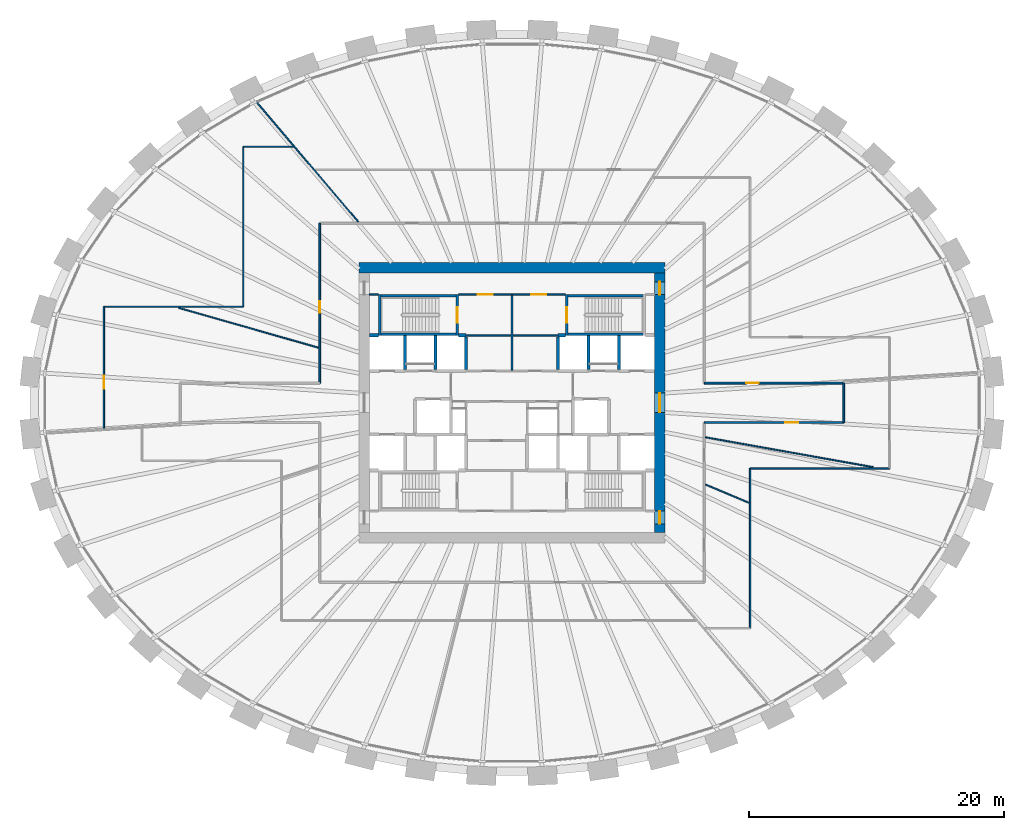
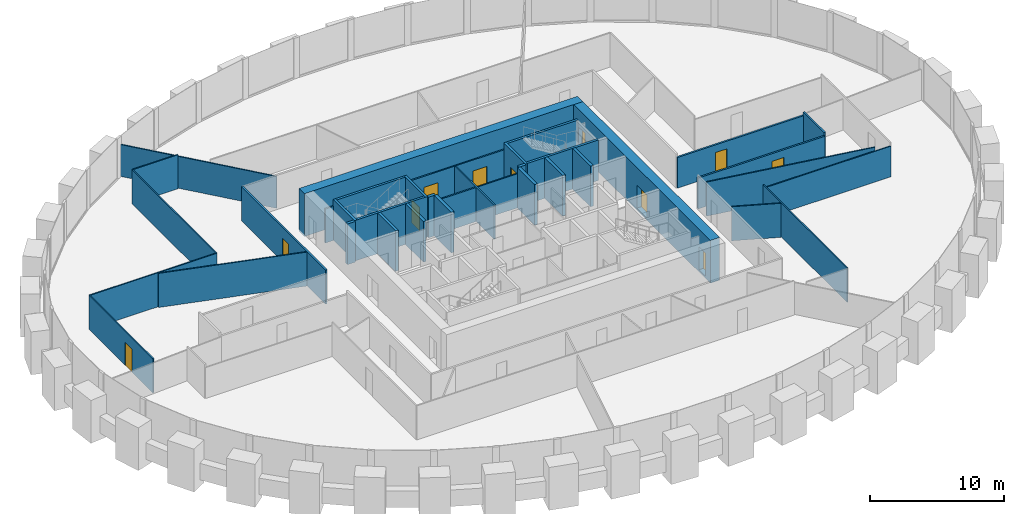
# One storey, part 8 of 10: 36 walls, 11 doors, 11 openings.
"""IFC4 building model written with IfcOpenShell, lengths in metres."""

from ifc_helpers import new_model, si_unit, direction, frame, frame_2d, origin, place, context, subcontext, project, spatial, rectangle, extrude, source, transform, mapped, material, layer, layer_set, type_object, element, fill, save


model = new_model("IFC4")

# Units and contexts
model_context = context("Model", 3, precision=1e-05, world=origin(), true_north=direction((0.0, 1.0)))
body_context = subcontext(model_context, "Body", "Model", "MODEL_VIEW")
ifc_project = project(units=[si_unit("LENGTHUNIT", "METRE"), si_unit("AREAUNIT", "SQUARE_METRE"), si_unit("VOLUMEUNIT", "CUBIC_METRE"), si_unit("PLANEANGLEUNIT", "RADIAN"), si_unit("MASSUNIT", "GRAM", prefix="KILO")], contexts=[model_context])

# Site, building, storey
site_placement = place(None, origin())
site = spatial("IfcSite", under=ifc_project, at=site_placement, CompositionType="ELEMENT")
building_placement = place(site_placement, origin())
building = spatial("IfcBuilding", under=site, at=building_placement, Name="Embergate Tower", CompositionType="ELEMENT")
storey_placement = place(building_placement, frame((0.0, 0.0, 156.0)))
storey = spatial("IfcBuildingStorey", under=building, at=storey_placement, Name="L34", CompositionType="ELEMENT", Elevation=156.0)

# Wall
ifc_material_1 = material(Name="Concrete C70", Category="concrete")
ifc_layer_1 = layer(ifc_material_1, 0.800048828125)
ifc_layer_set_1 = layer_set([ifc_layer_1], Name="Concrete C70")
wall_type_1 = type_object("IfcWallType", Name="Core outer wall C70 800", PredefinedType="SHEAR", material=ifc_layer_set_1)
shared_shape_1 = source(origin(), body_context, "Body", "SweptSolid", [
    extrude(rectangle(XDim=24.0, YDim=0.800048828125, at=frame_2d((12.0, 0.0))), origin(), (0.0, 0.0, 1.0), 3.89990234375),
])
wall_1_placement = place(storey_placement, frame((-12.0, 10.60009765625, -0.199951171875), z_axis=(0.0, 0.0, 1.0), x_axis=(1.0, 0.0, 0.0)))
element("IfcWall", 1, at=wall_1_placement, inside=storey, type_object=wall_type_1, Name="CW-L34-N", PredefinedType="SHEAR", context=body_context, shape_type="MappedRepresentation", body=[
    mapped(shared_shape_1, transform((0.0, 0.0, 0.0))),
])

# Wall, openings, doors
shared_shape_2 = source(origin(), body_context, "Body", "SweptSolid", [
    extrude(rectangle(XDim=20.39990234375, YDim=0.800048828125, at=frame_2d((10.199951171875, 0.0))), origin(), (0.0, 0.0, 1.0), 3.89990234375),
])
wall_2_placement = place(storey_placement, frame((11.60009765625, -10.199951171875, -0.199951171875), z_axis=(0.0, 0.0, 1.0), x_axis=(0.0, 1.0, 0.0)))
wall_2 = element("IfcWall", 2, at=wall_2_placement, inside=storey, type_object=wall_type_1, Name="CW-L34-E", PredefinedType="SHEAR", context=body_context, shape_type="MappedRepresentation", body=[
    mapped(shared_shape_2, transform((0.0, 0.0, 0.0))),
])
shared_shape_3 = source(origin(), body_context, "Body", "SweptSolid", [
    extrude(rectangle(XDim=1.0, YDim=2.10009765625, at=frame_2d((0.5, 1.050048828125))), frame((0.0, 0.409912109375, 0.0), z_axis=(0.0, -1.0, 0.0), x_axis=(1.0, 0.0, 0.0)), (0.0, 0.0, 1.0), 0.820068359375),
])
opening_1_placement = place(wall_2_placement, frame((18.699951171875, 0.0, 0.199951171875)))
opening_1 = element("IfcOpeningElement", 3, at=opening_1_placement, cuts=wall_2, Name="Opening IF-1d", PredefinedType="OPENING", context=body_context, shape_type="MappedRepresentation", body=[
    mapped(shared_shape_3, transform((0.0, 0.0, 0.0))),
])
opening_2_placement = place(wall_2_placement, frame((0.699951171875, 0.0, 0.199951171875)))
opening_2 = element("IfcOpeningElement", 4, at=opening_2_placement, cuts=wall_2, Name="Opening IF-1d", PredefinedType="OPENING", context=body_context, shape_type="MappedRepresentation", body=[
    mapped(shared_shape_3, transform((0.0, 0.0, 0.0))),
])
shared_shape_4 = source(origin(), body_context, "Body", "SweptSolid", [
    extrude(rectangle(XDim=1.5, YDim=2.10009765625, at=frame_2d((0.75, 1.050048828125))), frame((0.0, 0.409912109375, 0.0), z_axis=(0.0, -1.0, 0.0), x_axis=(1.0, 0.0, 0.0)), (0.0, 0.0, 1.0), 0.820068359375),
])
opening_3_placement = place(wall_2_placement, frame((9.449951171875, 0.0, 0.199951171875)))
opening_3 = element("IfcOpeningElement", 5, at=opening_3_placement, cuts=wall_2, Name="Opening IF-3", PredefinedType="OPENING", context=body_context, shape_type="MappedRepresentation", body=[
    mapped(shared_shape_4, transform((0.0, 0.0, 0.0))),
])
ifc_material_2 = material(Name="Lobby fire door pair 1500")
door_type_1 = type_object("IfcDoorType", Name="Lobby fire door pair 1500", OperationType="DOUBLE_DOOR_SINGLE_SWING", PredefinedType="DOOR", material=ifc_material_2)
shared_shape_5 = source(origin(), body_context, "Body", "SweptSolid", [
    extrude(rectangle(XDim=1.5, YDim=2.10009765625, at=frame_2d((0.75, 1.050048828125))), frame((0.0, 0.02490234375, 0.0), z_axis=(0.0, -1.0, 0.0), x_axis=(1.0, 0.0, 0.0)), (0.0, 0.0, 1.0), 0.050048828125),
])
door_1_placement = place(opening_3_placement, origin())
door_1 = element("IfcDoor", 6, at=door_1_placement, inside=storey, type_object=door_type_1, Name="IF-3 door", OperationType="DOUBLE_DOOR_SINGLE_SWING", OverallHeight=2.10009765625, OverallWidth=1.5, PredefinedType="DOOR", context=body_context, shape_type="MappedRepresentation", body=[
    mapped(shared_shape_5, transform((0.0, 0.0, 0.0))),
])
fill(opening_3, door_1)
ifc_material_3 = material(Name="Escape fire door 1000")
door_type_2 = type_object("IfcDoorType", Name="Escape fire door 1000", OperationType="SINGLE_SWING_LEFT", PredefinedType="DOOR", material=ifc_material_3)
shared_shape_6 = source(origin(), body_context, "Body", "SweptSolid", [
    extrude(rectangle(XDim=1.0, YDim=2.10009765625, at=frame_2d((0.5, 1.050048828125))), frame((0.0, 0.02490234375, 0.0), z_axis=(0.0, -1.0, 0.0), x_axis=(1.0, 0.0, 0.0)), (0.0, 0.0, 1.0), 0.050048828125),
])
door_2_placement = place(opening_1_placement, origin())
door_2 = element("IfcDoor", 7, at=door_2_placement, inside=storey, type_object=door_type_2, Name="IF-1 door", OperationType="SINGLE_SWING_LEFT", OverallHeight=2.10009765625, OverallWidth=1.0, PredefinedType="DOOR", context=body_context, shape_type="MappedRepresentation", body=[
    mapped(shared_shape_6, transform((0.0, 0.0, 0.0))),
])
fill(opening_1, door_2)
door_3_placement = place(opening_2_placement, origin())
door_3 = element("IfcDoor", 8, at=door_3_placement, inside=storey, type_object=door_type_2, Name="IF-1 door", OperationType="SINGLE_SWING_LEFT", OverallHeight=2.10009765625, OverallWidth=1.0, PredefinedType="DOOR", context=body_context, shape_type="MappedRepresentation", body=[
    mapped(shared_shape_6, transform((0.0, 0.0, 0.0))),
])
fill(opening_2, door_3)

# Walls
ifc_material_4 = material(Name="Concrete C50", Category="concrete")
ifc_layer_2 = layer(ifc_material_4, 0.25)
ifc_layer_set_2 = layer_set([ifc_layer_2], Name="Concrete C50")
wall_type_2 = type_object("IfcWallType", Name="Hoistway wall reinforced concrete 250", PredefinedType="SHEAR", material=ifc_layer_set_2)
shared_shape_7 = source(origin(), body_context, "Body", "SweptSolid", [
    extrude(rectangle(XDim=2.675048828125, YDim=0.25, at=frame_2d((1.33740234375, 0.0))), origin(), (0.0, 0.0, 1.0), 3.699951171875),
])
for number, where, z_axis, x_axis, name in (
    (9, (-8.39990234375, 2.625, 0.0), (0.0, 0.0, 1.0), (0.0, 1.0, 0.0), "HW-1 wall"),
    (10, (-6.0, 2.625, 0.0), (0.0, 0.0, 1.0), (0.0, 1.0, 0.0), "HW-1 wall"),
    (11, (6.0, 2.625, 0.0), (0.0, 0.0, 1.0), (0.0, 1.0, 0.0), "HW-1 wall"),
    (12, (8.39990234375, 2.625, 0.0), (0.0, 0.0, 1.0), (0.0, 1.0, 0.0), "HW-1 wall"),
):
    element("IfcWall", number, at=place(storey_placement, frame(where, z_axis=z_axis, x_axis=x_axis)), inside=storey, type_object=wall_type_2, Name=name, PredefinedType="SHEAR", context=body_context, shape_type="MappedRepresentation", body=[
        mapped(shared_shape_7, transform((0.0, 0.0, 0.0))),
    ])
ifc_layer_3 = layer(ifc_material_4, 0.199951171875)
ifc_layer_set_3 = layer_set([ifc_layer_3], Name="Concrete C50")
wall_type_3 = type_object("IfcWallType", Name="Stair enclosure wall reinforced concrete 250", PredefinedType="SHEAR", material=ifc_layer_set_3)
shared_shape_8 = source(origin(), body_context, "Body", "SweptSolid", [
    extrude(rectangle(XDim=6.300048828125, YDim=0.199951171875, at=frame_2d((3.14990234375, 0.0))), origin(), (0.0, 0.0, 1.0), 3.699951171875),
])
for number, where, z_axis, x_axis, name in (
    (13, (-4.199951171875, 5.39990234375, 0.0), (0.0, 0.0, 1.0), (-1.0, 0.0, 0.0), "SE-1 wall"),
    (14, (10.5, 5.39990234375, 0.0), (0.0, 0.0, 1.0), (-1.0, 0.0, 0.0), "SE-1 wall"),
    (15, (-4.199951171875, 8.39990234375, 0.0), (0.0, 0.0, 1.0), (-1.0, 0.0, 0.0), "SE-1 wall"),
    (16, (10.5, 8.39990234375, 0.0), (0.0, 0.0, 1.0), (-1.0, 0.0, 0.0), "SE-1 wall"),
):
    element("IfcWall", number, at=place(storey_placement, frame(where, z_axis=z_axis, x_axis=x_axis)), inside=storey, type_object=wall_type_3, Name=name, PredefinedType="SHEAR", context=body_context, shape_type="MappedRepresentation", body=[
        mapped(shared_shape_8, transform((0.0, 0.0, 0.0))),
    ])
shared_shape_9 = source(origin(), body_context, "Body", "SweptSolid", [
    extrude(rectangle(XDim=2.550048828125, YDim=0.25, at=frame_2d((1.27490234375, 0.0))), origin(), (0.0, 0.0, 1.0), 3.699951171875),
])
for number, where, z_axis, x_axis, name in (
    (17, (-3.60009765625, 2.625, 0.0), (0.0, 0.0, 1.0), (0.0, 1.0, 0.0), "HW-1 wall"),
    (18, (3.60009765625, 5.175048828125, 0.0), (0.0, 0.0, 1.0), (0.0, -1.0, 0.0), "HW-1 wall"),
):
    element("IfcWall", number, at=place(storey_placement, frame(where, z_axis=z_axis, x_axis=x_axis)), inside=storey, type_object=wall_type_2, Name=name, PredefinedType="SHEAR", context=body_context, shape_type="MappedRepresentation", body=[
        mapped(shared_shape_9, transform((0.0, 0.0, 0.0))),
    ])

# Wall, opening, door
shared_shape_10 = source(origin(), body_context, "Body", "SweptSolid", [
    extrude(rectangle(XDim=3.199951171875, YDim=0.199951171875, at=frame_2d((1.60009765625, 0.0))), origin(), (0.0, 0.0, 1.0), 3.699951171875),
])
wall_3_placement = place(storey_placement, frame((-4.300048828125, 5.300048828125, 0.0), z_axis=(0.0, 0.0, 1.0), x_axis=(0.0, 1.0, 0.0)))
wall_3 = element("IfcWall", 19, at=wall_3_placement, inside=storey, type_object=wall_type_3, Name="SE-1 wall", PredefinedType="SHEAR", context=body_context, shape_type="MappedRepresentation", body=[
    mapped(shared_shape_10, transform((0.0, 0.0, 0.0))),
])
shared_shape_11 = source(origin(), body_context, "Body", "SweptSolid", [
    extrude(rectangle(XDim=1.199951171875, YDim=2.10009765625, at=frame_2d((0.60009765625, 1.050048828125))), frame((0.0, 0.10986328125, 0.0), z_axis=(0.0, -1.0, 0.0), x_axis=(1.0, 0.0, 0.0)), (0.0, 0.0, 1.0), 0.219970703125),
])
opening_4_placement = place(wall_3_placement, frame((1.0, 0.0, 0.0)))
opening_4 = element("IfcOpeningElement", 20, at=opening_4_placement, cuts=wall_3, Name="Opening IF-2", PredefinedType="OPENING", context=body_context, shape_type="MappedRepresentation", body=[
    mapped(shared_shape_11, transform((0.0, 0.0, 0.0))),
])
ifc_material_5 = material(Name="Stair enclosure door 1200")
door_type_3 = type_object("IfcDoorType", Name="Stair enclosure door 1200", OperationType="SINGLE_SWING_LEFT", PredefinedType="DOOR", material=ifc_material_5)
shared_shape_12 = source(origin(), body_context, "Body", "SweptSolid", [
    extrude(rectangle(XDim=1.199951171875, YDim=2.10009765625, at=frame_2d((0.60009765625, 1.050048828125))), frame((0.0, 0.02490234375, 0.0), z_axis=(0.0, -1.0, 0.0), x_axis=(1.0, 0.0, 0.0)), (0.0, 0.0, 1.0), 0.050048828125),
])
door_4_placement = place(opening_4_placement, origin())
door_4 = element("IfcDoor", 21, at=door_4_placement, inside=storey, type_object=door_type_3, Name="IF-2 door", OperationType="SINGLE_SWING_RIGHT", OverallHeight=2.10009765625, OverallWidth=1.199951171875, PredefinedType="DOOR", context=body_context, shape_type="MappedRepresentation", body=[
    mapped(shared_shape_12, transform((0.0, 0.0, 0.0))),
])
fill(opening_4, door_4)

wall_4_placement = place(storey_placement, frame((4.300048828125, 8.5, 0.0), z_axis=(0.0, 0.0, 1.0), x_axis=(0.0, -1.0, 0.0)))
wall_4 = element("IfcWall", 22, at=wall_4_placement, inside=storey, type_object=wall_type_3, Name="SE-1 wall", PredefinedType="SHEAR", context=body_context, shape_type="MappedRepresentation", body=[
    mapped(shared_shape_10, transform((0.0, 0.0, 0.0))),
])
opening_5_placement = place(wall_4_placement, frame((1.0, 0.0, 0.0)))
opening_5 = element("IfcOpeningElement", 23, at=opening_5_placement, cuts=wall_4, Name="Opening IF-2", PredefinedType="OPENING", context=body_context, shape_type="MappedRepresentation", body=[
    mapped(shared_shape_11, transform((0.0, 0.0, 0.0))),
])
door_5_placement = place(opening_5_placement, origin())
door_5 = element("IfcDoor", 24, at=door_5_placement, inside=storey, type_object=door_type_3, Name="IF-2 door", OperationType="SINGLE_SWING_LEFT", OverallHeight=2.10009765625, OverallWidth=1.199951171875, PredefinedType="DOOR", context=body_context, shape_type="MappedRepresentation", body=[
    mapped(shared_shape_12, transform((0.0, 0.0, 0.0))),
])
fill(opening_5, door_5)

# Wall, openings, doors
ifc_material_6 = material(Name="Core partition blockwork 120")
ifc_layer_4 = layer(ifc_material_6, 0.1201171875)
ifc_layer_set_4 = layer_set([ifc_layer_4], Name="Core partition blockwork 120")
wall_type_4 = type_object("IfcWallType", Name="Core partition blockwork 120", PredefinedType="PARTITIONING", material=ifc_layer_set_4)
shared_shape_13 = source(origin(), body_context, "Body", "SweptSolid", [
    extrude(rectangle(XDim=8.39990234375, YDim=0.1201171875, at=frame_2d((4.199951171875, 0.0))), origin(), (0.0, 0.0, 1.0), 3.10009765625),
])
wall_5_placement = place(storey_placement, frame((4.199951171875, 8.5, 0.0), z_axis=(0.0, 0.0, 1.0), x_axis=(-1.0, 0.0, 0.0)))
wall_5 = element("IfcWall", 25, at=wall_5_placement, inside=storey, type_object=wall_type_4, Name="IP-3 wall", PredefinedType="PARTITIONING", context=body_context, shape_type="MappedRepresentation", body=[
    mapped(shared_shape_13, transform((0.0, 0.0, 0.0))),
])
shared_shape_14 = source(origin(), body_context, "Body", "SweptSolid", [
    extrude(rectangle(XDim=1.199951171875, YDim=2.10009765625, at=frame_2d((0.60009765625, 1.050048828125))), frame((0.0, 0.070068359375, 0.0), z_axis=(0.0, -1.0, 0.0), x_axis=(1.0, 0.0, 0.0)), (0.0, 0.0, 1.0), 0.14013671875),
])
opening_6_placement = place(wall_5_placement, frame((5.699951171875, 0.0, 0.0)))
opening_6 = element("IfcOpeningElement", 26, at=opening_6_placement, cuts=wall_5, Name="Opening IF-3f", PredefinedType="OPENING", context=body_context, shape_type="MappedRepresentation", body=[
    mapped(shared_shape_14, transform((0.0, 0.0, 0.0))),
])
opening_7_placement = place(wall_5_placement, frame((1.5, 0.0, 0.0)))
opening_7 = element("IfcOpeningElement", 27, at=opening_7_placement, cuts=wall_5, Name="Opening IF-3f", PredefinedType="OPENING", context=body_context, shape_type="MappedRepresentation", body=[
    mapped(shared_shape_14, transform((0.0, 0.0, 0.0))),
])
ifc_material_7 = material(Name="Lobby fire door pair 1200")
door_type_4 = type_object("IfcDoorType", Name="Lobby fire door pair 1200", OperationType="DOUBLE_DOOR_SINGLE_SWING", PredefinedType="DOOR", material=ifc_material_7)
door_6_placement = place(opening_6_placement, origin())
door_6 = element("IfcDoor", 28, at=door_6_placement, inside=storey, type_object=door_type_4, Name="IF-3 door", OperationType="DOUBLE_DOOR_SINGLE_SWING", OverallHeight=2.10009765625, OverallWidth=1.199951171875, PredefinedType="DOOR", context=body_context, shape_type="MappedRepresentation", body=[
    mapped(shared_shape_12, transform((0.0, 0.0, 0.0))),
])
fill(opening_6, door_6)
door_7_placement = place(opening_7_placement, origin())
door_7 = element("IfcDoor", 29, at=door_7_placement, inside=storey, type_object=door_type_4, Name="IF-3 door", OperationType="DOUBLE_DOOR_SINGLE_SWING", OverallHeight=2.10009765625, OverallWidth=1.199951171875, PredefinedType="DOOR", context=body_context, shape_type="MappedRepresentation", body=[
    mapped(shared_shape_12, transform((0.0, 0.0, 0.0))),
])
fill(opening_7, door_7)

# Wall, opening, door
ifc_material_8 = material(Name="Corridor wall dry-lined 150")
ifc_layer_5 = layer(ifc_material_8, 0.14990234375)
ifc_layer_set_5 = layer_set([ifc_layer_5], Name="Corridor wall dry-lined 150")
wall_type_5 = type_object("IfcWallType", Name="Corridor wall dry-lined 150", PredefinedType="PARTITIONING", material=ifc_layer_set_5)
shared_shape_15 = source(origin(), body_context, "Body", "SweptSolid", [
    extrude(rectangle(XDim=10.949951171875, YDim=0.14990234375, at=frame_2d((5.47509765625, 0.0))), origin(), (0.0, 0.0, 1.0), 2.800048828125),
])
wall_6_placement = place(storey_placement, frame((15.10009765625, -1.550048828125, 0.0), z_axis=(0.0, 0.0, 1.0), x_axis=(1.0, 0.0, 0.0)))
wall_6 = element("IfcWall", 30, at=wall_6_placement, inside=storey, type_object=wall_type_5, Name="IP-2 wall", PredefinedType="PARTITIONING", context=body_context, shape_type="MappedRepresentation", body=[
    mapped(shared_shape_15, transform((0.0, 0.0, 0.0))),
])
shared_shape_16 = source(origin(), body_context, "Body", "SweptSolid", [
    extrude(rectangle(XDim=1.0, YDim=2.10009765625, at=frame_2d((0.5, 1.050048828125))), frame((0.0, 0.0849609375, 0.0), z_axis=(0.0, -1.0, 0.0), x_axis=(1.0, 0.0, 0.0)), (0.0, 0.0, 1.0), 0.169921875),
])
opening_8_placement = place(wall_6_placement, frame((6.376953125, 0.0, 0.0)))
opening_8 = element("IfcOpeningElement", 31, at=opening_8_placement, cuts=wall_6, Name="Opening ID-2", PredefinedType="OPENING", context=body_context, shape_type="MappedRepresentation", body=[
    mapped(shared_shape_16, transform((0.0, 0.0, 0.0))),
])
ifc_material_9 = material(Name="Interior door 1000")
door_type_5 = type_object("IfcDoorType", Name="Interior door 1000", OperationType="SINGLE_SWING_LEFT", PredefinedType="DOOR", material=ifc_material_9)
door_8_placement = place(opening_8_placement, origin())
door_8 = element("IfcDoor", 32, at=door_8_placement, inside=storey, type_object=door_type_5, Name="ID-2 door", OperationType="SINGLE_SWING_RIGHT", OverallHeight=2.10009765625, OverallWidth=1.0, PredefinedType="DOOR", context=body_context, shape_type="MappedRepresentation", body=[
    mapped(shared_shape_6, transform((0.0, 0.0, 0.0))),
])
fill(opening_8, door_8)

wall_7_placement = place(storey_placement, frame((26.050048828125, 1.550048828125, 0.0), z_axis=(0.0, 0.0, 1.0), x_axis=(-1.0, 0.0, 0.0)))
wall_7 = element("IfcWall", 33, at=wall_7_placement, inside=storey, type_object=wall_type_5, Name="IP-2 wall", PredefinedType="PARTITIONING", context=body_context, shape_type="MappedRepresentation", body=[
    mapped(shared_shape_15, transform((0.0, 0.0, 0.0))),
])
opening_9_placement = place(wall_7_placement, frame((6.6708984375, 0.0, 0.0)))
opening_9 = element("IfcOpeningElement", 34, at=opening_9_placement, cuts=wall_7, Name="Opening ID-2", PredefinedType="OPENING", context=body_context, shape_type="MappedRepresentation", body=[
    mapped(shared_shape_16, transform((0.0, 0.0, 0.0))),
])
door_9_placement = place(opening_9_placement, origin())
door_9 = element("IfcDoor", 35, at=door_9_placement, inside=storey, type_object=door_type_5, Name="ID-2 door", OperationType="SINGLE_SWING_LEFT", OverallHeight=2.10009765625, OverallWidth=1.0, PredefinedType="DOOR", context=body_context, shape_type="MappedRepresentation", body=[
    mapped(shared_shape_6, transform((0.0, 0.0, 0.0))),
])
fill(opening_9, door_9)

# Walls
ifc_material_10 = material(Name="Partition dry-lined 100")
ifc_layer_6 = layer(ifc_material_10, 0.10009765625)
ifc_layer_set_6 = layer_set([ifc_layer_6], Name="Partition dry-lined 100")
wall_type_6 = type_object("IfcWallType", Name="Partition dry-lined 100", PredefinedType="PARTITIONING", material=ifc_layer_set_6)
shared_shape_17 = source(origin(), body_context, "Body", "SweptSolid", [
    extrude(rectangle(XDim=10.949951171875, YDim=0.10009765625, at=frame_2d((5.47509765625, 0.0))), origin(), (0.0, 0.0, 1.0), 3.10009765625),
])
wall_8_placement = place(storey_placement, frame((-32.050048828125, 7.550048828125, 0.0), z_axis=(0.0, 0.0, 1.0), x_axis=(1.0, 0.0, 0.0)))
element("IfcWall", 36, at=wall_8_placement, inside=storey, type_object=wall_type_6, Name="IP-1 wall", PredefinedType="PARTITIONING", context=body_context, shape_type="MappedRepresentation", body=[
    mapped(shared_shape_17, transform((0.0, 0.0, 0.0))),
])
shared_shape_18 = source(origin(), body_context, "Body", "SweptSolid", [
    extrude(rectangle(XDim=10.949951171875, YDim=0.10009765625, at=frame_2d((5.47509765625, 0.0))), origin(), (0.0, 0.0, 1.0), 2.800048828125),
])
wall_9_placement = place(storey_placement, frame((29.64990234375, -5.14990234375, 0.0), z_axis=(0.0, 0.0, 1.0), x_axis=(-1.0, 0.0, 0.0)))
element("IfcWall", 37, at=wall_9_placement, inside=storey, type_object=wall_type_6, Name="IP-1 wall", PredefinedType="PARTITIONING", context=body_context, shape_type="MappedRepresentation", body=[
    mapped(shared_shape_18, transform((0.0, 0.0, 0.0))),
])
shared_shape_19 = source(origin(), body_context, "Body", "SweptSolid", [
    extrude(rectangle(XDim=0.599853515625, YDim=0.25, at=frame_2d((0.2998046875, 0.0))), origin(), (0.0, 0.0, 1.0), 3.699951171875),
])
for number, where, z_axis, x_axis, name in (
    (38, (-3.60009765625, 5.300048828125, 0.0), (0.0, 0.0, 1.0), (-1.0, 0.0, 0.0), "HW-1 wall"),
    (39, (4.199951171875, 5.300048828125, 0.0), (0.0, 0.0, 1.0), (-1.0, 0.0, 0.0), "HW-1 wall"),
):
    element("IfcWall", number, at=place(storey_placement, frame(where, z_axis=z_axis, x_axis=x_axis)), inside=storey, type_object=wall_type_2, Name=name, PredefinedType="SHEAR", context=body_context, shape_type="MappedRepresentation", body=[
        mapped(shared_shape_19, transform((0.0, 0.0, 0.0))),
    ])
shared_shape_20 = source(origin(), body_context, "Body", "SweptSolid", [
    extrude(rectangle(XDim=7.2001953125, YDim=0.1201171875, at=frame_2d((3.60009765625, 0.0))), origin(), (0.0, 0.0, 1.0), 3.10009765625),
])
wall_10_placement = place(storey_placement, frame((-3.60009765625, 5.300048828125, 0.0), z_axis=(0.0, 0.0, 1.0), x_axis=(1.0, 0.0, 0.0)))
element("IfcWall", 40, at=wall_10_placement, inside=storey, type_object=wall_type_4, Name="IP-3 wall", PredefinedType="PARTITIONING", context=body_context, shape_type="MappedRepresentation", body=[
    mapped(shared_shape_20, transform((0.0, 0.0, 0.0))),
])
shared_shape_21 = source(origin(), body_context, "Body", "SweptSolid", [
    extrude(rectangle(XDim=3.196044921875, YDim=0.199951171875, at=frame_2d((1.59814453125, 0.0))), origin(), (0.0, 0.0, 1.0), 3.699951171875),
])
wall_11_placement = place(storey_placement, frame((-10.39990234375, 8.498046875, 0.0), z_axis=(0.0, 0.0, 1.0), x_axis=(0.0, -1.0, 0.0)))
element("IfcWall", 41, at=wall_11_placement, inside=storey, type_object=wall_type_3, Name="SE-1 wall", PredefinedType="SHEAR", context=body_context, shape_type="MappedRepresentation", body=[
    mapped(shared_shape_21, transform((0.0, 0.0, 0.0))),
])
shared_shape_22 = source(origin(), body_context, "Body", "SweptSolid", [
    extrude(rectangle(XDim=0.697998046875, YDim=0.25, at=frame_2d((0.34912109375, 0.0))), origin(), (0.0, 0.0, 1.0), 3.699951171875),
])
wall_12_placement = place(storey_placement, frame((-10.501953125, 5.300048828125, 0.0), z_axis=(0.0, 0.0, 1.0), x_axis=(-1.0, 0.0, 0.0)))
element("IfcWall", 42, at=wall_12_placement, inside=storey, type_object=wall_type_2, Name="HW-1 wall", PredefinedType="SHEAR", context=body_context, shape_type="MappedRepresentation", body=[
    mapped(shared_shape_22, transform((0.0, 0.0, 0.0))),
])
shared_shape_23 = source(origin(), body_context, "Body", "SweptSolid", [
    extrude(rectangle(XDim=0.697998046875, YDim=0.1201171875, at=frame_2d((0.34912109375, 0.0))), origin(), (0.0, 0.0, 1.0), 3.10009765625),
])
wall_13_placement = place(storey_placement, frame((-11.199951171875, 8.5, 0.0), z_axis=(0.0, 0.0, 1.0), x_axis=(1.0, 0.0, 0.0)))
element("IfcWall", 43, at=wall_13_placement, inside=storey, type_object=wall_type_4, Name="IP-3 wall", PredefinedType="PARTITIONING", context=body_context, shape_type="MappedRepresentation", body=[
    mapped(shared_shape_23, transform((0.0, 0.0, 0.0))),
])
shared_shape_24 = source(origin(), body_context, "Body", "SweptSolid", [
    extrude(rectangle(XDim=12.37109375, YDim=0.10009765625, at=frame_2d((6.185546875, 0.0))), origin(), (0.0, 0.0, 1.0), 2.89990234375),
])
wall_14_placement = place(storey_placement, frame((-20.077880859375, 23.635986328125, 0.0), z_axis=(0.0, 0.0, 1.0), x_axis=(0.647375129587, -0.762171530295, 0.0)))
element("IfcWall", 44, at=wall_14_placement, inside=storey, type_object=wall_type_6, Name="IP-1 wall", PredefinedType="PARTITIONING", context=body_context, shape_type="MappedRepresentation", body=[
    mapped(shared_shape_24, transform((0.0, 0.0, 0.0))),
])

# Wall, opening, door
shared_shape_25 = source(origin(), body_context, "Body", "SweptSolid", [
    extrude(rectangle(XDim=12.550048828125, YDim=0.14990234375, at=frame_2d((6.27490234375, 0.0))), origin(), (0.0, 0.0, 1.0), 3.10009765625),
])
wall_15_placement = place(storey_placement, frame((-15.10009765625, 1.550048828125, 0.0), z_axis=(0.0, 0.0, 1.0), x_axis=(0.0, 1.0, 0.0)))
wall_15 = element("IfcWall", 45, at=wall_15_placement, inside=storey, type_object=wall_type_5, Name="IP-2 wall", PredefinedType="PARTITIONING", context=body_context, shape_type="MappedRepresentation", body=[
    mapped(shared_shape_25, transform((0.0, 0.0, 0.0))),
])
shared_shape_26 = source(origin(), body_context, "Body", "SweptSolid", [
    extrude(rectangle(XDim=0.89990234375, YDim=2.10009765625, at=frame_2d((0.449951171875, 1.050048828125))), frame((0.0, 0.0849609375, 0.0), z_axis=(0.0, -1.0, 0.0), x_axis=(1.0, 0.0, 0.0)), (0.0, 0.0, 1.0), 0.169921875),
])
opening_10_placement = place(wall_15_placement, frame((5.5400390625, 0.0, 0.0)))
opening_10 = element("IfcOpeningElement", 46, at=opening_10_placement, cuts=wall_15, Name="Opening IF-1c", PredefinedType="OPENING", context=body_context, shape_type="MappedRepresentation", body=[
    mapped(shared_shape_26, transform((0.0, 0.0, 0.0))),
])
ifc_material_11 = material(Name="Escape fire door 900")
door_type_6 = type_object("IfcDoorType", Name="Escape fire door 900", OperationType="SINGLE_SWING_LEFT", PredefinedType="DOOR", material=ifc_material_11)
shared_shape_27 = source(origin(), body_context, "Body", "SweptSolid", [
    extrude(rectangle(XDim=0.89990234375, YDim=2.10009765625, at=frame_2d((0.449951171875, 1.050048828125))), frame((0.0, 0.02490234375, 0.0), z_axis=(0.0, -1.0, 0.0), x_axis=(1.0, 0.0, 0.0)), (0.0, 0.0, 1.0), 0.050048828125),
])
door_10_placement = place(opening_10_placement, origin())
door_10 = element("IfcDoor", 47, at=door_10_placement, inside=storey, type_object=door_type_6, Name="IF-1 door", OperationType="SINGLE_SWING_LEFT", OverallHeight=2.10009765625, OverallWidth=0.89990234375, PredefinedType="DOOR", context=body_context, shape_type="MappedRepresentation", body=[
    mapped(shared_shape_27, transform((0.0, 0.0, 0.0))),
])
fill(opening_10, door_10)

# Walls
shared_shape_28 = source(origin(), body_context, "Body", "SweptSolid", [
    extrude(rectangle(XDim=3.10009765625, YDim=0.14990234375, at=frame_2d((1.550048828125, 0.0))), origin(), (0.0, 0.0, 1.0), 3.10009765625),
])
wall_16_placement = place(storey_placement, frame((26.050048828125, -1.550048828125, 0.0), z_axis=(0.0, 0.0, 1.0), x_axis=(0.0, 1.0, 0.0)))
element("IfcWall", 48, at=wall_16_placement, inside=storey, type_object=wall_type_5, Name="IP-2 wall", PredefinedType="PARTITIONING", context=body_context, shape_type="MappedRepresentation", body=[
    mapped(shared_shape_28, transform((0.0, 0.0, 0.0))),
])
shared_shape_29 = source(origin(), body_context, "Body", "SweptSolid", [
    extrude(rectangle(XDim=12.550048828125, YDim=0.10009765625, at=frame_2d((6.27490234375, 0.0))), origin(), (0.0, 0.0, 1.0), 3.10009765625),
])
for number, where, z_axis, x_axis, name in (
    (49, (18.699951171875, -5.14990234375, 0.0), (0.0, 0.0, 1.0), (0.0, -1.0, 0.0), "IP-1 wall"),
    (50, (-21.10009765625, 7.550048828125, 0.0), (0.0, 0.0, 1.0), (0.0, 1.0, 0.0), "IP-1 wall"),
):
    element("IfcWall", number, at=place(storey_placement, frame(where, z_axis=z_axis, x_axis=x_axis)), inside=storey, type_object=wall_type_6, Name=name, PredefinedType="PARTITIONING", context=body_context, shape_type="MappedRepresentation", body=[
        mapped(shared_shape_29, transform((0.0, 0.0, 0.0))),
    ])
shared_shape_30 = source(origin(), body_context, "Body", "SweptSolid", [
    extrude(rectangle(XDim=3.731201171875, YDim=0.10009765625, at=frame_2d((1.86572265625, 0.0))), origin(), (0.0, 0.0, 1.0), 3.10009765625),
])
wall_17_placement = place(storey_placement, frame((15.194091796875, -6.4189453125, 0.0), z_axis=(0.0, 0.0, 1.0), x_axis=(0.921156789101, -0.389191687852, 0.0)))
element("IfcWall", 51, at=wall_17_placement, inside=storey, type_object=wall_type_6, Name="IP-1 wall", PredefinedType="PARTITIONING", context=body_context, shape_type="MappedRepresentation", body=[
    mapped(shared_shape_30, transform((0.0, 0.0, 0.0))),
])
shared_shape_31 = source(origin(), body_context, "Body", "SweptSolid", [
    extrude(rectangle(XDim=13.369384765625, YDim=0.10009765625, at=frame_2d((6.6845703125, 0.0))), origin(), (0.0, 0.0, 1.0), 3.10009765625),
])
wall_18_placement = place(storey_placement, frame((15.18408203125, -2.705078125, 0.0), z_axis=(0.0, 0.0, 1.0), x_axis=(0.984484294433, -0.175472715869, 0.0)))
element("IfcWall", 52, at=wall_18_placement, inside=storey, type_object=wall_type_6, Name="IP-1 wall", PredefinedType="PARTITIONING", context=body_context, shape_type="MappedRepresentation", body=[
    mapped(shared_shape_31, transform((0.0, 0.0, 0.0))),
])
shared_shape_32 = source(origin(), body_context, "Body", "SweptSolid", [
    extrude(rectangle(XDim=11.41357421875, YDim=0.10009765625, at=frame_2d((5.706787109375, 0.0))), origin(), (0.0, 0.0, 1.0), 3.10009765625),
])
wall_19_placement = place(storey_placement, frame((-15.18896484375, 4.325927734375, 0.0), z_axis=(0.0, 0.0, 1.0), x_axis=(-0.961762512549, 0.273884774047, 0.0)))
element("IfcWall", 53, at=wall_19_placement, inside=storey, type_object=wall_type_6, Name="IP-1 wall", PredefinedType="PARTITIONING", context=body_context, shape_type="MappedRepresentation", body=[
    mapped(shared_shape_32, transform((0.0, 0.0, 0.0))),
])
shared_shape_33 = source(origin(), body_context, "Body", "SweptSolid", [
    extrude(rectangle(XDim=3.9169921875, YDim=0.10009765625, at=frame_2d((1.95849609375, 0.0))), origin(), (0.0, 0.0, 1.0), 3.10009765625),
])
wall_20_placement = place(storey_placement, frame((-21.10009765625, 20.10009765625, 0.0), z_axis=(0.0, 0.0, 1.0), x_axis=(1.0, 0.0, 0.0)))
element("IfcWall", 54, at=wall_20_placement, inside=storey, type_object=wall_type_6, Name="IP-1 wall", PredefinedType="PARTITIONING", context=body_context, shape_type="MappedRepresentation", body=[
    mapped(shared_shape_33, transform((0.0, 0.0, 0.0))),
])

# Wall, opening, door
shared_shape_34 = source(origin(), body_context, "Body", "SweptSolid", [
    extrude(rectangle(XDim=9.56298828125, YDim=0.10009765625, at=frame_2d((4.781494140625, 0.0))), origin(), (0.0, 0.0, 1.0), 3.10009765625),
])
wall_21_placement = place(storey_placement, frame((-32.050048828125, 7.550048828125, 0.0), z_axis=(0.0, 0.0, 1.0), x_axis=(0.0, -1.0, 0.0)))
wall_21 = element("IfcWall", 55, at=wall_21_placement, inside=storey, type_object=wall_type_6, Name="IP-1 wall", PredefinedType="PARTITIONING", context=body_context, shape_type="MappedRepresentation", body=[
    mapped(shared_shape_34, transform((0.0, 0.0, 0.0))),
])
shared_shape_35 = source(origin(), body_context, "Body", "SweptSolid", [
    extrude(rectangle(XDim=1.0, YDim=2.10009765625, at=frame_2d((0.5, 1.050048828125))), frame((0.0, 0.06005859375, 0.0), z_axis=(0.0, -1.0, 0.0), x_axis=(1.0, 0.0, 0.0)), (0.0, 0.0, 1.0), 0.1201171875),
])
opening_11_placement = place(wall_21_placement, frame((5.427978515625, 0.0, 0.0)))
opening_11 = element("IfcOpeningElement", 56, at=opening_11_placement, cuts=wall_21, Name="Opening ID-2", PredefinedType="OPENING", context=body_context, shape_type="MappedRepresentation", body=[
    mapped(shared_shape_35, transform((0.0, 0.0, 0.0))),
])
door_11_placement = place(opening_11_placement, origin())
door_11 = element("IfcDoor", 57, at=door_11_placement, inside=storey, type_object=door_type_5, Name="ID-2 door", OperationType="SINGLE_SWING_RIGHT", OverallHeight=2.10009765625, OverallWidth=1.0, PredefinedType="DOOR", context=body_context, shape_type="MappedRepresentation", body=[
    mapped(shared_shape_6, transform((0.0, 0.0, 0.0))),
])
fill(opening_11, door_11)

# Wall
shared_shape_36 = source(origin(), body_context, "Body", "SweptSolid", [
    extrude(rectangle(XDim=5.8798828125, YDim=0.1201171875, at=frame_2d((2.93994140625, 0.0))), origin(), (0.0, 0.0, 1.0), 3.10009765625),
])
wall_22_placement = place(storey_placement, frame((0.0, 2.56005859375, 0.0), z_axis=(0.0, 0.0, 1.0), x_axis=(0.0, 1.0, 0.0)))
element("IfcWall", 58, at=wall_22_placement, inside=storey, type_object=wall_type_4, Name="IP-3 wall", PredefinedType="PARTITIONING", context=body_context, shape_type="MappedRepresentation", body=[
    mapped(shared_shape_36, transform((0.0, 0.0, 0.0))),
])

save(model, "model.ifc")
